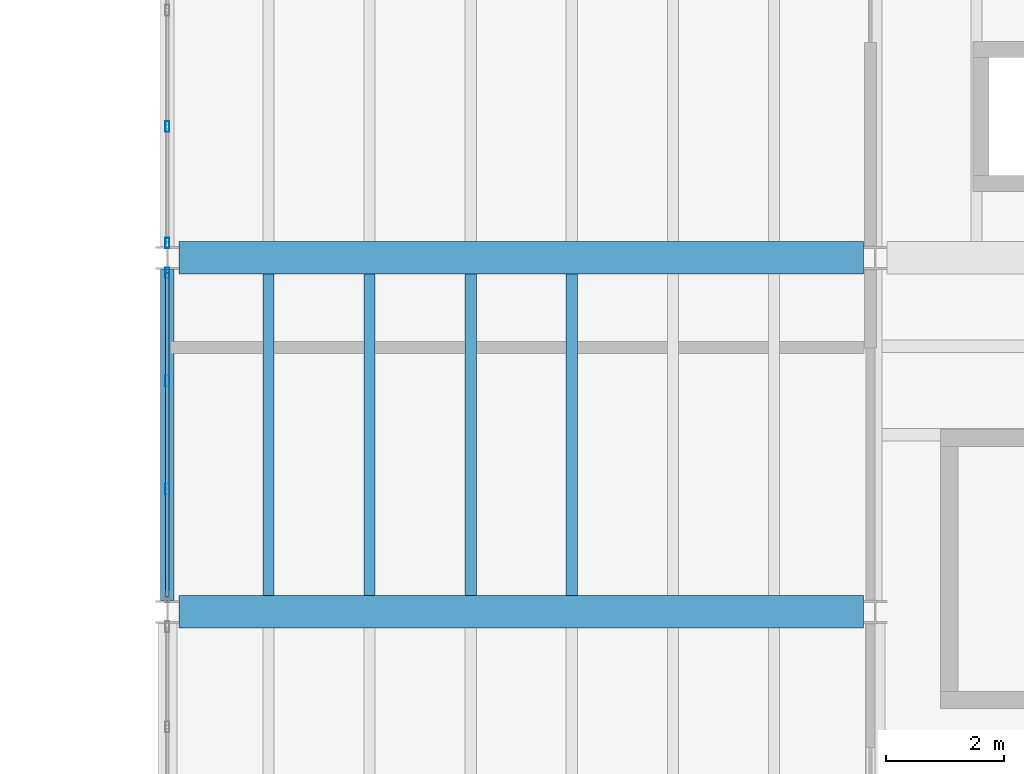
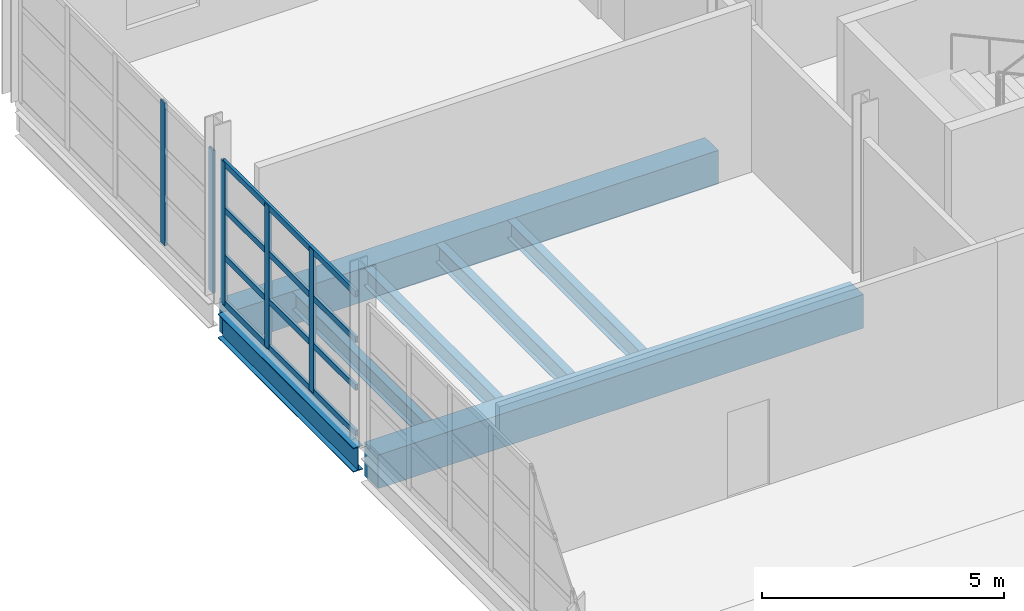
# One storey, part 66 of 114: 9 members, 7 beams, 2 elements without a shape of their own.
"""IFC4 building model written with IfcOpenShell, lengths in metres."""

from ifc_helpers import new_model, si_unit, direction, frame, origin, origin_2d, place, context, subcontext, project, spatial, rectangle, hollow_rectangle, i_section, extrude, material, material_profile, profile_set, type_object, element, aggregate, save


model = new_model("IFC4")

# Units and contexts
model_context = context("Model", 3, precision=1e-05, world=origin(), true_north=direction((0.0, 1.0)))
body_context = subcontext(model_context, "Body", "Model", "MODEL_VIEW")
ifc_project = project(units=[si_unit("LENGTHUNIT", "METRE"), si_unit("AREAUNIT", "SQUARE_METRE"), si_unit("VOLUMEUNIT", "CUBIC_METRE"), si_unit("PLANEANGLEUNIT", "RADIAN"), si_unit("MASSUNIT", "GRAM", prefix="KILO")], contexts=[model_context])

# Site, building, storey
site_placement = place(None, origin())
site = spatial("IfcSite", under=ifc_project, at=site_placement, CompositionType="ELEMENT")
building_placement = place(site_placement, origin())
building = spatial("IfcBuilding", under=site, at=building_placement, Name="Kelmvaro Bay Concert Hall", CompositionType="ELEMENT")
storey_placement = place(building_placement, frame((0.0, 0.0, 4.800048828125)))
storey = spatial("IfcBuildingStorey", under=building, at=storey_placement, Name="L01", CompositionType="ELEMENT", Elevation=4.800048828125)

# Beams
ifc_material_1 = material(Name="Concrete C40/50", Category="concrete")
ifc_material_profile_1 = material_profile(ifc_material_1, rectangle(XDim=0.550048828125, YDim=0.85009765625, at=origin_2d()), Name="RC-BM-550X850")
ifc_profile_set_1 = profile_set([ifc_material_profile_1], Name="Concrete C40/50")
beam_type_1 = type_object("IfcBeamType", Name="Chamber Primary Girder RC550x850", PredefinedType="BEAM", material=ifc_profile_set_1)
for number, where, z_axis, x_axis, name in (
    (1, (120.200439453125, 82.800048828125, -0.68505859375), (1.0, 0.0, 0.0), (0.0, 1.0, 0.0), "L01 Girder BM-L01-EW-0093"),
    (2, (120.200439453125, 88.800048828125, -0.68505859375), (1.0, 0.0, 0.0), (0.0, 1.0, 0.0), "L01 Girder BM-L01-EW-0094"),
):
    element("IfcBeam", number, at=place(storey_placement, frame(where, z_axis=z_axis, x_axis=x_axis)), inside=storey, type_object=beam_type_1, Name=name, PredefinedType="BEAM", context=body_context, shape_type="SweptSolid", body=[
        extrude(rectangle(XDim=0.550048828125, YDim=0.85009765625, at=origin_2d()), origin(), (0.0, 0.0, 1.0), 11.59912109375),
    ])

# Curtain wall, members
ifc_material_2 = material(Name="Anodised Aluminium and Low-E Insulated Glazing", Category="aluminium")
curtain_wall_type = type_object("IfcCurtainWallType", Name="Chamber Foyer Curtain Wall 3900", PredefinedType="USERDEFINED", material=ifc_material_2)
curtain_wall_1_placement = place(storey_placement, origin())
curtain_wall_1 = element("IfcCurtainWall", 3, at=curtain_wall_1_placement, inside=storey, type_object=curtain_wall_type, Name="Unitised Curtain Wall CW-L01-036", ObjectType="UNITISED GLAZING", PredefinedType="USERDEFINED")
ifc_material_3 = material(Name="Anodised Extruded Aluminium 6063-T6", Category="aluminium")
ifc_material_profile_2 = material_profile(ifc_material_3, hollow_rectangle(XDim=0.06494140625, YDim=0.179931640625, WallThickness=0.00390625, at=origin_2d()), Name="ALU-MUL-180X65")
ifc_profile_set_2 = profile_set([ifc_material_profile_2], Name="Anodised Extruded Aluminium 6063-T6")
member_type_1 = type_object("IfcMemberType", Name="Curtain Mullion ALU 180x65", PredefinedType="MULLION", material=ifc_profile_set_2)
member_1_placement = place(storey_placement, frame((120.0, 84.884033203125, 0.0), z_axis=(0.0, 0.0, 1.0), x_axis=(1.0, 0.0, 0.0)))
member_1 = element("IfcMember", 4, at=member_1_placement, type_object=member_type_1, Name="CW-L01-036 Mullion 02", PredefinedType="MULLION", context=body_context, shape_type="SweptSolid", body=[
    extrude(hollow_rectangle(XDim=0.06494140625, YDim=0.179931640625, WallThickness=0.00390625, at=origin_2d()), origin(), (0.0, 0.0, 1.0), 3.60791015625),
])
member_2_placement = place(storey_placement, frame((120.0, 86.716064453125, 0.0), z_axis=(0.0, 0.0, 1.0), x_axis=(1.0, 0.0, 0.0)))
member_2 = element("IfcMember", 5, at=member_2_placement, type_object=member_type_1, Name="CW-L01-036 Mullion 03", PredefinedType="MULLION", context=body_context, shape_type="SweptSolid", body=[
    extrude(hollow_rectangle(XDim=0.06494140625, YDim=0.179931640625, WallThickness=0.00390625, at=origin_2d()), origin(), (0.0, 0.0, 1.0), 3.60791015625),
])
member_3_placement = place(storey_placement, frame((120.0, 88.548095703125, 0.0), z_axis=(0.0, 0.0, 1.0), x_axis=(1.0, 0.0, 0.0)))
member_3 = element("IfcMember", 6, at=member_3_placement, type_object=member_type_1, Name="CW-L01-036 Mullion 04", PredefinedType="MULLION", context=body_context, shape_type="SweptSolid", body=[
    extrude(hollow_rectangle(XDim=0.06494140625, YDim=0.179931640625, WallThickness=0.00390625, at=origin_2d()), origin(), (0.0, 0.0, 1.0), 3.60791015625),
])

curtain_wall_2_placement = place(storey_placement, origin())
curtain_wall_2 = element("IfcCurtainWall", 7, at=curtain_wall_2_placement, inside=storey, type_object=curtain_wall_type, Name="Unitised Curtain Wall CW-L01-037", ObjectType="UNITISED GLAZING", PredefinedType="USERDEFINED")
member_4_placement = place(storey_placement, frame((120.0, 89.052001953125, 0.0), z_axis=(0.0, 0.0, 1.0), x_axis=(1.0, 0.0, 0.0)))
member_4 = element("IfcMember", 8, at=member_4_placement, type_object=member_type_1, Name="CW-L01-037 Mullion 01", PredefinedType="MULLION", context=body_context, shape_type="SweptSolid", body=[
    extrude(hollow_rectangle(XDim=0.06494140625, YDim=0.179931640625, WallThickness=0.00390625, at=origin_2d()), origin(), (0.0, 0.0, 1.0), 3.60791015625),
])
member_5_placement = place(storey_placement, frame((120.0, 91.025390625, 0.0), z_axis=(0.0, 0.0, 1.0), x_axis=(1.0, 0.0, 0.0)))
member_5 = element("IfcMember", 9, at=member_5_placement, type_object=member_type_1, Name="CW-L01-037 Mullion 02", PredefinedType="MULLION", context=body_context, shape_type="SweptSolid", body=[
    extrude(hollow_rectangle(XDim=0.06494140625, YDim=0.179931640625, WallThickness=0.00390625, at=origin_2d()), origin(), (0.0, 0.0, 1.0), 3.60791015625),
])
aggregate(curtain_wall_2, [member_4, member_5])

# Member
ifc_material_4 = material(Name="Anodised Extruded Aluminium 6063-T6", Category="aluminium")
ifc_material_profile_3 = material_profile(ifc_material_4, hollow_rectangle(XDim=0.06494140625, YDim=0.14990234375, WallThickness=0.00390625, at=origin_2d()), Name="ALU-TRN-150X65")
ifc_profile_set_3 = profile_set([ifc_material_profile_3], Name="Anodised Extruded Aluminium 6063-T6")
member_type_2 = type_object("IfcMemberType", Name="Curtain Transom ALU 150x65", PredefinedType="USERDEFINED", material=ifc_profile_set_3)
member_6_placement = place(storey_placement, frame((120.0, 83.052001953125, 0.0400390625), z_axis=(0.0, 1.0, 0.0), x_axis=(-1.0, 0.0, 0.0)))
member_6 = element("IfcMember", 10, at=member_6_placement, type_object=member_type_2, Name="CW-L01-036 Transom 01", ObjectType="TRANSOM", PredefinedType="USERDEFINED", context=body_context, shape_type="SweptSolid", body=[
    extrude(hollow_rectangle(XDim=0.06494140625, YDim=0.14990234375, WallThickness=0.00390625, at=origin_2d()), origin(), (0.0, 0.0, 1.0), 5.49609375),
])

member_7_placement = place(storey_placement, frame((120.0, 83.052001953125, 1.20263671875), z_axis=(0.0, 1.0, 0.0), x_axis=(-1.0, 0.0, 0.0)))
member_7 = element("IfcMember", 11, at=member_7_placement, type_object=member_type_2, Name="CW-L01-036 Transom 02", ObjectType="TRANSOM", PredefinedType="USERDEFINED", context=body_context, shape_type="SweptSolid", body=[
    extrude(hollow_rectangle(XDim=0.06494140625, YDim=0.14990234375, WallThickness=0.00390625, at=origin_2d()), origin(), (0.0, 0.0, 1.0), 5.49609375),
])

member_8_placement = place(storey_placement, frame((120.0, 83.052001953125, 2.4052734375), z_axis=(0.0, 1.0, 0.0), x_axis=(-1.0, 0.0, 0.0)))
member_8 = element("IfcMember", 12, at=member_8_placement, type_object=member_type_2, Name="CW-L01-036 Transom 03", ObjectType="TRANSOM", PredefinedType="USERDEFINED", context=body_context, shape_type="SweptSolid", body=[
    extrude(hollow_rectangle(XDim=0.06494140625, YDim=0.14990234375, WallThickness=0.00390625, at=origin_2d()), origin(), (0.0, 0.0, 1.0), 5.49609375),
])

member_9_placement = place(storey_placement, frame((120.0, 83.052001953125, 3.56787109375), z_axis=(0.0, 1.0, 0.0), x_axis=(-1.0, 0.0, 0.0)))
member_9 = element("IfcMember", 13, at=member_9_placement, type_object=member_type_2, Name="CW-L01-036 Transom 04", ObjectType="TRANSOM", PredefinedType="USERDEFINED", context=body_context, shape_type="SweptSolid", body=[
    extrude(hollow_rectangle(XDim=0.06494140625, YDim=0.14990234375, WallThickness=0.00390625, at=origin_2d()), origin(), (0.0, 0.0, 1.0), 5.49609375),
])

aggregate(curtain_wall_1, [member_1, member_2, member_3, member_6, member_7, member_8, member_9])

# Beams
ifc_material_5 = material(Name="Steel ASTM A992 Grade 50", Category="steel")
ifc_material_profile_4 = material_profile(ifc_material_5, i_section(OverallWidth=0.19091796875, OverallDepth=0.45703125, WebThickness=0.009033203125, FlangeThickness=0.014404296875, at=origin_2d()), Name="W18X50")
ifc_profile_set_4 = profile_set([ifc_material_profile_4], Name="Steel ASTM A992 Grade 50")
beam_type_2 = type_object("IfcBeamType", Name="Standard Composite Floor Joist W18x50", PredefinedType="JOIST", material=ifc_profile_set_4)
for number, where, z_axis, x_axis, name in (
    (14, (121.71435546875, 83.074951171875, -0.488525390625), (0.0, 1.0, 0.0), (-1.0, 0.0, 0.0), "L01 Floor Joist JST-L01-0611"),
    (15, (123.4287109375, 83.074951171875, -0.488525390625), (0.0, 1.0, 0.0), (-1.0, 0.0, 0.0), "L01 Floor Joist JST-L01-0612"),
    (16, (125.142822265625, 83.074951171875, -0.488525390625), (0.0, 1.0, 0.0), (-1.0, 0.0, 0.0), "L01 Floor Joist JST-L01-0613"),
    (17, (126.857177734375, 83.074951171875, -0.488525390625), (0.0, 1.0, 0.0), (-1.0, 0.0, 0.0), "L01 Floor Joist JST-L01-0614"),
):
    element("IfcBeam", number, at=place(storey_placement, frame(where, z_axis=z_axis, x_axis=x_axis)), inside=storey, type_object=beam_type_2, Name=name, PredefinedType="JOIST", context=body_context, shape_type="SweptSolid", body=[
        extrude(i_section(OverallWidth=0.19091796875, OverallDepth=0.45703125, WebThickness=0.009033203125, FlangeThickness=0.014404296875, at=origin_2d()), origin(), (0.0, 0.0, 1.0), 5.449951171875),
    ])
ifc_material_6 = material(Name="Steel ASTM A992 Grade 50", Category="steel")
ifc_material_profile_5 = material_profile(ifc_material_6, i_section(OverallWidth=0.22900390625, OverallDepth=0.612060546875, WebThickness=0.011962890625, FlangeThickness=0.01953125, at=origin_2d()), Name="W24X84")
ifc_profile_set_5 = profile_set([ifc_material_profile_5], Name="Steel ASTM A992 Grade 50")
beam_type_3 = type_object("IfcBeamType", Name="Terrace Edge Girder W24x84", PredefinedType="BEAM", material=ifc_profile_set_5)
beam_placement = place(storey_placement, frame((120.0, 82.9970703125, -0.566162109375), z_axis=(0.0, 1.0, 0.0), x_axis=(-1.0, 0.0, 0.0)))
element("IfcBeam", 18, at=beam_placement, inside=storey, type_object=beam_type_3, Name="L01 Girder BM-L01-NS-0191", PredefinedType="BEAM", context=body_context, shape_type="SweptSolid", body=[
    extrude(i_section(OverallWidth=0.22900390625, OverallDepth=0.612060546875, WebThickness=0.011962890625, FlangeThickness=0.01953125, at=origin_2d()), origin(), (0.0, 0.0, 1.0), 5.60595703125),
])

save(model, "model.ifc")
